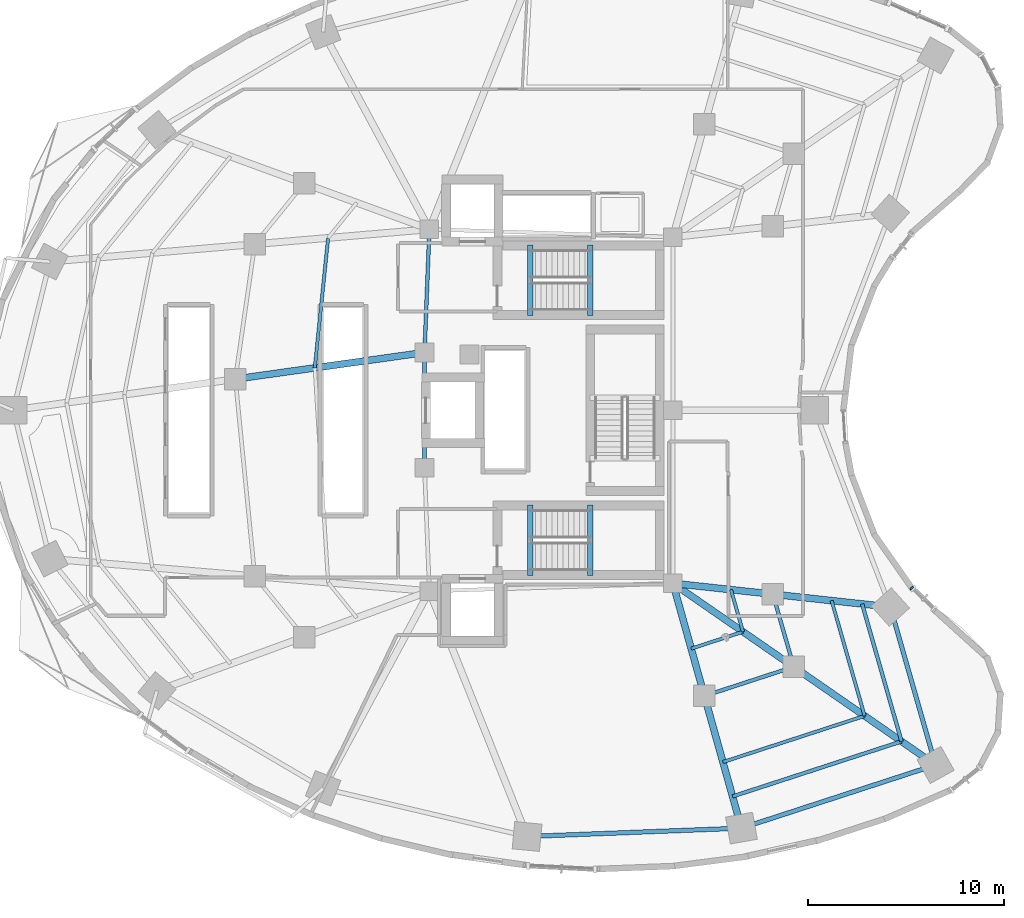
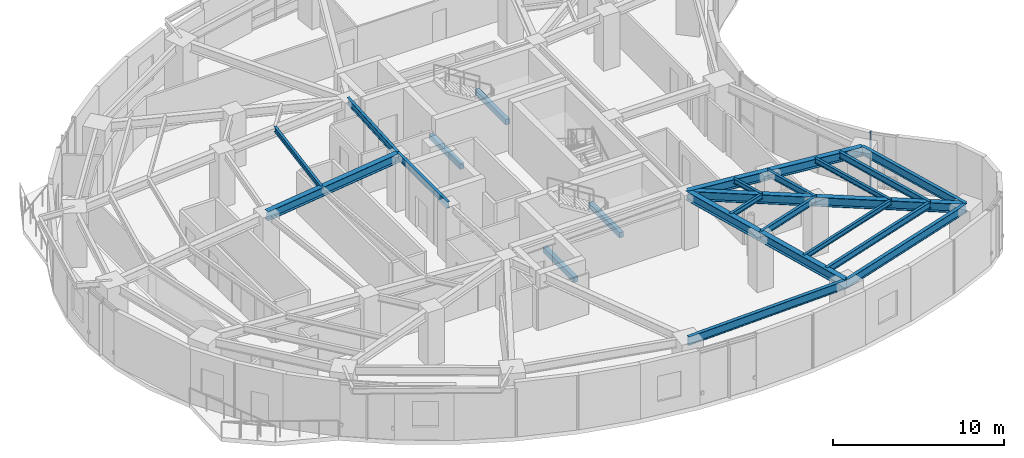
# One storey, part 3 of 14: 25 beams, 1 member, 1 element without a shape of its own.
"""IFC4 building model written with IfcOpenShell, lengths in metres."""

from ifc_helpers import new_model, si_unit, direction, frame, origin, origin_2d, place, context, subcontext, project, spatial, rectangle, i_section, extrude, material, layer, layer_set, material_profile, profile_set, type_object, element, aggregate, save


model = new_model("IFC4")

# Units and contexts
model_context = context("Model", 3, precision=1e-05, world=origin(), true_north=direction((0.0, 1.0)))
body_context = subcontext(model_context, "Body", "Model", "MODEL_VIEW")
ifc_project = project(units=[si_unit("LENGTHUNIT", "METRE"), si_unit("AREAUNIT", "SQUARE_METRE"), si_unit("VOLUMEUNIT", "CUBIC_METRE"), si_unit("PLANEANGLEUNIT", "RADIAN"), si_unit("MASSUNIT", "GRAM", prefix="KILO")], contexts=[model_context])

# Site, building, storey
site_placement = place(None, origin())
site = spatial("IfcSite", under=ifc_project, at=site_placement, CompositionType="ELEMENT")
building_placement = place(site_placement, origin())
building = spatial("IfcBuilding", under=site, at=building_placement, Name="Korentha Bioscience Tower", CompositionType="ELEMENT")
storey_placement = place(building_placement, frame((0.0, 0.0, 63.60009765625)))
storey = spatial("IfcBuildingStorey", under=building, at=storey_placement, Name="L14", CompositionType="ELEMENT", Elevation=63.60009765625)

# Beams
ifc_material_1 = material(Name="Concrete C50", Category="concrete")
ifc_material_profile_1 = material_profile(ifc_material_1, rectangle(XDim=0.280029296875, YDim=0.3798828125, at=origin_2d()), Name="Concrete C50")
ifc_profile_set_1 = profile_set([ifc_material_profile_1], Name="Concrete C50 (ST-HB380)")
beam_type_1 = type_object("IfcBeamType", Name="Concrete Stair Header Beam RC 280x380", PredefinedType="BEAM", material=ifc_profile_set_1)
for number, where, z_axis, x_axis, name in (
    (1, (30.25, 31.85009765625, -0.190185546875), (0.0, 1.0, 0.0), (-1.0, 0.0, 0.0), "L14 ST-1 Concrete Stair Header Beam"),
    (2, (33.330078125, 31.85009765625, 1.909912109375), (0.0, 1.0, 0.0), (-1.0, 0.0, 0.0), "L14 ST-1 Half-Landing Header Beam 1"),
    (3, (30.25, 18.550048828125, -0.190185546875), (0.0, 1.0, 0.0), (-1.0, 0.0, 0.0), "L14 ST-2 Concrete Stair Header Beam"),
    (4, (33.330078125, 18.550048828125, 1.909912109375), (0.0, 1.0, 0.0), (-1.0, 0.0, 0.0), "L14 ST-2 Half-Landing Header Beam 1"),
):
    element("IfcBeam", number, at=place(storey_placement, frame(where, z_axis=z_axis, x_axis=x_axis)), inside=storey, type_object=beam_type_1, Name=name, PredefinedType="BEAM", context=body_context, shape_type="SweptSolid", body=[
        extrude(rectangle(XDim=0.280029296875, YDim=0.3798828125, at=origin_2d()), origin(), (0.0, 0.0, 1.0), 3.599853515625),
    ])
ifc_material_2 = material(Name="Steel S355", Category="steel")
ifc_material_profile_2 = material_profile(ifc_material_2, i_section(OverallWidth=0.18994140625, OverallDepth=0.45703125, WebThickness=0.009033203125, FlangeThickness=0.014404296875, at=origin_2d()), Name="Steel S355")
ifc_profile_set_2 = profile_set([ifc_material_profile_2], Name="Steel S355 (MB-460)")
beam_type_2 = type_object("IfcBeamType", Name="Mid-Ring Tie Girder W460x74", PredefinedType="BEAM", material=ifc_profile_set_2)
beam_1_placement = place(storey_placement, frame((39.1611328125, 12.392333984375, 3.67138671875), z_axis=(0.950877001105, 0.309568940253, 0.0), x_axis=(-0.309568940253, 0.950877001105, 0.0)))
element("IfcBeam", 5, at=beam_1_placement, inside=storey, type_object=beam_type_2, Name="L14 Mid-Ring Tie Girder 12", PredefinedType="BEAM", context=body_context, shape_type="SweptSolid", body=[
    extrude(i_section(OverallWidth=0.18994140625, OverallDepth=0.45703125, WebThickness=0.009033203125, FlangeThickness=0.014404296875, at=origin_2d()), origin(), (0.0, 0.0, 1.0), 4.80126953125),
])
beam_2_placement = place(storey_placement, frame((43.7265625, 13.878662109375, 3.67138671875), z_axis=(-0.27560557792, 0.961270807535, 0.0), x_axis=(-0.961270807535, -0.27560557792, 0.0)))
element("IfcBeam", 6, at=beam_2_placement, inside=storey, type_object=beam_type_2, Name="L14 Mid-Ring Tie Girder 13", PredefinedType="BEAM", context=body_context, shape_type="SweptSolid", body=[
    extrude(i_section(OverallWidth=0.18994140625, OverallDepth=0.45703125, WebThickness=0.009033203125, FlangeThickness=0.014404296875, at=origin_2d()), origin(), (0.0, 0.0, 1.0), 3.864013671875),
])
beam_3_placement = place(storey_placement, frame((25.10009765625, 36.25, 3.67138671875), z_axis=(-0.039651025576, -0.999213588864, 0.0), x_axis=(0.999213588864, -0.039651025576, 0.0)))
element("IfcBeam", 7, at=beam_3_placement, inside=storey, type_object=beam_type_2, Name="L14 Core Ring Tie Girder 02", PredefinedType="BEAM", context=body_context, shape_type="SweptSolid", body=[
    extrude(i_section(OverallWidth=0.18994140625, OverallDepth=0.45703125, WebThickness=0.009033203125, FlangeThickness=0.014404296875, at=origin_2d()), origin(), (0.0, 0.0, 1.0), 6.304931640625),
])
beam_4_placement = place(storey_placement, frame((24.85009765625, 29.949951171875, 3.67138671875), z_axis=(0.0, -1.0, 0.0), x_axis=(1.0, 0.0, 0.0)))
element("IfcBeam", 8, at=beam_4_placement, inside=storey, type_object=beam_type_2, Name="L14 Core Ring Tie Girder 03", PredefinedType="BEAM", context=body_context, shape_type="SweptSolid", body=[
    extrude(i_section(OverallWidth=0.18994140625, OverallDepth=0.45703125, WebThickness=0.009033203125, FlangeThickness=0.014404296875, at=origin_2d()), origin(), (0.0, 0.0, 1.0), 5.89990234375),
])

# Curtain wall, member
ifc_material_3 = material(Name="Thermally Broken Aluminium Frame", Category="aluminium")
ifc_layer = layer(ifc_material_3, 0.219970703125, Name="Thermally Broken Aluminium Frame")
ifc_layer_set = layer_set([ifc_layer], Name="Thermally Broken Aluminium Frame (CW-T2)")
curtain_wall_type = type_object("IfcCurtainWallType", Name="Solar-Screened Lab Unitised Curtain Wall CW-T2", PredefinedType="USERDEFINED", material=ifc_layer_set)
curtain_wall_placement = place(storey_placement, origin())
curtain_wall = element("IfcCurtainWall", 9, at=curtain_wall_placement, inside=storey, type_object=curtain_wall_type, Name="L14 Curtain Wall 43", ObjectType="UNITISED", PredefinedType="USERDEFINED")
ifc_material_4 = material(Name="Anodised Aluminium 6063-T6", Category="aluminium")
ifc_material_profile_3 = material_profile(ifc_material_4, rectangle(XDim=0.090087890625, YDim=0.199951171875, at=origin_2d()), Name="Anodised Aluminium 6063-T6")
ifc_profile_set_3 = profile_set([ifc_material_profile_3], Name="Anodised Aluminium 6063-T6 (CW-MUL)")
member_type = type_object("IfcMemberType", Name="Mullion RECT 90x200", PredefinedType="MULLION", material=ifc_profile_set_3)
member_placement = place(storey_placement, frame((49.752685546875, 17.90625, 0.0), z_axis=(0.0, 0.0, 1.0), x_axis=(-0.713279246754, 0.700879958445, 0.0)))
member = element("IfcMember", 10, at=member_placement, type_object=member_type, Name="CW-L14-43 Mullion 2", PredefinedType="MULLION", context=body_context, shape_type="SweptSolid", body=[
    extrude(rectangle(XDim=0.090087890625, YDim=0.199951171875, at=origin_2d()), origin(), (0.0, 0.0, 1.0), 3.89990234375),
])
aggregate(curtain_wall, [member])

# Beams
ifc_material_profile_4 = material_profile(ifc_material_2, i_section(OverallWidth=0.22802734375, OverallDepth=0.60791015625, WebThickness=0.01123046875, FlangeThickness=0.017333984375, at=origin_2d()), Name="Steel S355")
ifc_profile_set_4 = profile_set([ifc_material_profile_4], Name="Steel S355 (SB-610)")
beam_type_3 = type_object("IfcBeamType", Name="Perimeter Ring Spandrel Girder W610x113", PredefinedType="SPANDREL", material=ifc_profile_set_4)
beam_5_placement = place(storey_placement, frame((30.09423828125, 5.20751953125, 3.595947265625), z_axis=(0.999246003889, 0.03882555488, 0.0), x_axis=(-0.03882555488, 0.999246003889, 0.0)))
element("IfcBeam", 11, at=beam_5_placement, inside=storey, type_object=beam_type_3, Name="L14 Perimeter Spandrel Girder 11", PredefinedType="SPANDREL", context=body_context, shape_type="SweptSolid", body=[
    extrude(i_section(OverallWidth=0.22802734375, OverallDepth=0.60791015625, WebThickness=0.01123046875, FlangeThickness=0.017333984375, at=origin_2d()), origin(), (0.0, 0.0, 1.0), 10.966552734375),
])
beam_6_placement = place(storey_placement, frame((41.052490234375, 5.63330078125, 3.595947265625), z_axis=(0.95087511444, 0.309574735305, 0.0), x_axis=(-0.309574735305, 0.95087511444, 0.0)))
element("IfcBeam", 12, at=beam_6_placement, inside=storey, type_object=beam_type_3, Name="L14 Perimeter Spandrel Girder 12", PredefinedType="SPANDREL", context=body_context, shape_type="SweptSolid", body=[
    extrude(i_section(OverallWidth=0.22802734375, OverallDepth=0.60791015625, WebThickness=0.01123046875, FlangeThickness=0.017333984375, at=origin_2d()), origin(), (0.0, 0.0, 1.0), 10.4375),
])
beam_7_placement = place(storey_placement, frame((50.977294921875, 8.864501953125, 3.595947265625), z_axis=(-0.275642273411, 0.961260285827, 0.0), x_axis=(-0.961260285827, -0.275642273411, 0.0)))
element("IfcBeam", 13, at=beam_7_placement, inside=storey, type_object=beam_type_3, Name="L14 Perimeter Spandrel Girder 13", PredefinedType="SPANDREL", context=body_context, shape_type="SweptSolid", body=[
    extrude(i_section(OverallWidth=0.22802734375, OverallDepth=0.60791015625, WebThickness=0.01123046875, FlangeThickness=0.017333984375, at=origin_2d()), origin(), (0.0, 0.0, 1.0), 8.400146484375),
])
ifc_material_profile_5 = material_profile(ifc_material_2, i_section(OverallWidth=0.18994140625, OverallDepth=0.45703125, WebThickness=0.009033203125, FlangeThickness=0.014404296875, at=origin_2d()), Name="Steel S355")
ifc_profile_set_5 = profile_set([ifc_material_profile_5], Name="Steel S355 (RB-460)")
beam_type_4 = type_object("IfcBeamType", Name="Radial Laboratory Beam W460x74", PredefinedType="BEAM", material=ifc_profile_set_5)
beam_8_placement = place(storey_placement, frame((40.5986328125, 7.255615234375, 3.67138671875), z_axis=(0.95087437499, 0.309577006554, 0.0), x_axis=(-0.309577006554, 0.95087437499, 0.0)))
element("IfcBeam", 14, at=beam_8_placement, inside=storey, type_object=beam_type_4, Name="L14 Secondary Floor Beam JSTO-12", PredefinedType="BEAM", context=body_context, shape_type="SweptSolid", body=[
    extrude(i_section(OverallWidth=0.18994140625, OverallDepth=0.45703125, WebThickness=0.009033203125, FlangeThickness=0.014404296875, at=origin_2d()), origin(), (0.0, 0.0, 1.0), 9.0849609375),
])
beam_9_placement = place(storey_placement, frame((49.2373046875, 10.068115234375, 3.67138671875), z_axis=(-0.275682421415, 0.961248772443, 0.0), x_axis=(-0.961248772443, -0.275682421415, 0.0)))
element("IfcBeam", 15, at=beam_9_placement, inside=storey, type_object=beam_type_4, Name="L14 Secondary Floor Beam JSTO-13", PredefinedType="BEAM", context=body_context, shape_type="SweptSolid", body=[
    extrude(i_section(OverallWidth=0.18994140625, OverallDepth=0.45703125, WebThickness=0.009033203125, FlangeThickness=0.014404296875, at=origin_2d()), origin(), (0.0, 0.0, 1.0), 7.3115234375),
])
ifc_material_profile_6 = material_profile(ifc_material_2, i_section(OverallWidth=0.35009765625, OverallDepth=0.64990234375, WebThickness=0.01611328125, FlangeThickness=0.02490234375, at=origin_2d()), Name="Steel S355")
ifc_profile_set_6 = profile_set([ifc_material_profile_6], Name="Steel S355 (RB-650)")
beam_type_5 = type_object("IfcBeamType", Name="Radial Laboratory Girder CVS 650x208", PredefinedType="BEAM", material=ifc_profile_set_6)
beam_10_placement = place(storey_placement, frame((24.85009765625, 29.949951171875, 3.574951171875), z_axis=(-0.990307253072, -0.138894004596, 0.0), x_axis=(0.138894004596, -0.990307253072, 0.0)))
element("IfcBeam", 16, at=beam_10_placement, inside=storey, type_object=beam_type_5, Name="L14 Inner Radial Girder 07", PredefinedType="BEAM", context=body_context, shape_type="SweptSolid", body=[
    extrude(i_section(OverallWidth=0.35009765625, OverallDepth=0.64990234375, WebThickness=0.01611328125, FlangeThickness=0.02490234375, at=origin_2d()), origin(), (0.0, 0.0, 1.0), 9.76611328125),
])
beam_11_placement = place(storey_placement, frame((37.550048828125, 18.14990234375, 3.574951171875), z_axis=(0.269469369205, -0.963008961049, 0.0), x_axis=(0.963008961049, 0.269469369205, 0.0)))
element("IfcBeam", 17, at=beam_11_placement, inside=storey, type_object=beam_type_5, Name="L14 Inner Radial Girder 12", PredefinedType="BEAM", context=body_context, shape_type="SweptSolid", body=[
    extrude(i_section(OverallWidth=0.35009765625, OverallDepth=0.64990234375, WebThickness=0.01611328125, FlangeThickness=0.02490234375, at=origin_2d()), origin(), (0.0, 0.0, 1.0), 5.978759765625),
])
beam_12_placement = place(storey_placement, frame((39.1611328125, 12.392333984375, 3.574951171875), z_axis=(0.269475095129, -0.963007358801, 0.0), x_axis=(0.963007358801, 0.269475095129, 0.0)))
element("IfcBeam", 18, at=beam_12_placement, inside=storey, type_object=beam_type_5, Name="L14 Outer Radial Girder 12", PredefinedType="BEAM", context=body_context, shape_type="SweptSolid", body=[
    extrude(i_section(OverallWidth=0.35009765625, OverallDepth=0.64990234375, WebThickness=0.01611328125, FlangeThickness=0.02490234375, at=origin_2d()), origin(), (0.0, 0.0, 1.0), 7.0185546875),
])
beam_13_placement = place(storey_placement, frame((37.550048828125, 18.14990234375, 3.574951171875), z_axis=(0.822491697625, -0.568777115694, 0.0), x_axis=(0.568777115694, 0.822491697625, 0.0)))
element("IfcBeam", 19, at=beam_13_placement, inside=storey, type_object=beam_type_5, Name="L14 Inner Radial Girder 13", PredefinedType="BEAM", context=body_context, shape_type="SweptSolid", body=[
    extrude(i_section(OverallWidth=0.35009765625, OverallDepth=0.64990234375, WebThickness=0.01611328125, FlangeThickness=0.02490234375, at=origin_2d()), origin(), (0.0, 0.0, 1.0), 7.509521484375),
])
beam_14_placement = place(storey_placement, frame((43.7265625, 13.878662109375, 3.574951171875), z_axis=(0.822488186113, -0.568782193555, 0.0), x_axis=(0.568782193555, 0.822488186113, 0.0)))
element("IfcBeam", 20, at=beam_14_placement, inside=storey, type_object=beam_type_5, Name="L14 Outer Radial Girder 13", PredefinedType="BEAM", context=body_context, shape_type="SweptSolid", body=[
    extrude(i_section(OverallWidth=0.35009765625, OverallDepth=0.64990234375, WebThickness=0.01611328125, FlangeThickness=0.02490234375, at=origin_2d()), origin(), (0.0, 0.0, 1.0), 8.815673828125),
])
beam_15_placement = place(storey_placement, frame((37.550048828125, 18.14990234375, 3.574951171875), z_axis=(0.994117709144, -0.10830503389, 0.0), x_axis=(0.10830503389, 0.994117709144, 0.0)))
element("IfcBeam", 21, at=beam_15_placement, inside=storey, type_object=beam_type_5, Name="L14 Inner Radial Girder 14", PredefinedType="BEAM", context=body_context, shape_type="SweptSolid", body=[
    extrude(i_section(OverallWidth=0.35009765625, OverallDepth=0.64990234375, WebThickness=0.01611328125, FlangeThickness=0.02490234375, at=origin_2d()), origin(), (0.0, 0.0, 1.0), 5.141845703125),
])
beam_16_placement = place(storey_placement, frame((42.66162109375, 17.593017578125, 3.574951171875), z_axis=(0.994115805925, -0.108322501862, 0.0), x_axis=(0.108322501862, 0.994115805925, 0.0)))
element("IfcBeam", 22, at=beam_16_placement, inside=storey, type_object=beam_type_5, Name="L14 Outer Radial Girder 14", PredefinedType="BEAM", context=body_context, shape_type="SweptSolid", body=[
    extrude(i_section(OverallWidth=0.35009765625, OverallDepth=0.64990234375, WebThickness=0.01611328125, FlangeThickness=0.02490234375, at=origin_2d()), origin(), (0.0, 0.0, 1.0), 6.03564453125),
])
ifc_material_profile_7 = material_profile(ifc_material_2, i_section(OverallWidth=0.1708984375, OverallDepth=0.35498046875, WebThickness=0.007080078125, FlangeThickness=0.01171875, at=origin_2d()), Name="Steel S355")
ifc_profile_set_7 = profile_set([ifc_material_profile_7], Name="Steel S355 (JB-360)")
beam_type_6 = type_object("IfcBeamType", Name="Secondary Laboratory Joist W360x51", PredefinedType="JOIST", material=ifc_profile_set_7)
beam_17_placement = place(storey_placement, frame((19.9228515625, 35.80859375, 3.722412109375), z_axis=(-0.102144778597, -0.994769543264, 0.0), x_axis=(0.994769543264, -0.102144778597, 0.0)))
element("IfcBeam", 23, at=beam_17_placement, inside=storey, type_object=beam_type_6, Name="L14 Inner Bay Joist 06", PredefinedType="JOIST", context=body_context, shape_type="SweptSolid", body=[
    extrude(i_section(OverallWidth=0.1708984375, OverallDepth=0.35498046875, WebThickness=0.007080078125, FlangeThickness=0.01171875, at=origin_2d()), origin(), (0.0, 0.0, 1.0), 6.680419921875),
])
beam_18_placement = place(storey_placement, frame((40.10693359375, 9.0126953125, 3.722412109375), z_axis=(0.950870992772, 0.309587394938, 0.0), x_axis=(-0.309587394938, 0.950870992772, 0.0)))
element("IfcBeam", 24, at=beam_18_placement, inside=storey, type_object=beam_type_6, Name="L14 Secondary Floor Beam JST-12", PredefinedType="JOIST", context=body_context, shape_type="SweptSolid", body=[
    extrude(i_section(OverallWidth=0.1708984375, OverallDepth=0.35498046875, WebThickness=0.007080078125, FlangeThickness=0.01171875, at=origin_2d()), origin(), (0.0, 0.0, 1.0), 7.619384765625),
])
beam_19_placement = place(storey_placement, frame((38.484619140625, 14.810546875, 3.722412109375), z_axis=(0.950869630746, 0.309591578254, 0.0), x_axis=(-0.309591578254, 0.950869630746, 0.0)))
element("IfcBeam", 25, at=beam_19_placement, inside=storey, type_object=beam_type_6, Name="L14 Inner Bay Joist 12", PredefinedType="JOIST", context=body_context, shape_type="SweptSolid", body=[
    extrude(i_section(OverallWidth=0.1708984375, OverallDepth=0.35498046875, WebThickness=0.007080078125, FlangeThickness=0.01171875, at=origin_2d()), origin(), (0.0, 0.0, 1.0), 2.784423828125),
])
beam_20_placement = place(storey_placement, frame((47.35205078125, 11.37158203125, 3.722412109375), z_axis=(-0.275667500387, 0.96125305161, 0.0), x_axis=(-0.96125305161, -0.275667500387, 0.0)))
element("IfcBeam", 26, at=beam_20_placement, inside=storey, type_object=beam_type_6, Name="L14 Secondary Floor Beam JST-13", PredefinedType="JOIST", context=body_context, shape_type="SweptSolid", body=[
    extrude(i_section(OverallWidth=0.1708984375, OverallDepth=0.35498046875, WebThickness=0.007080078125, FlangeThickness=0.01171875, at=origin_2d()), origin(), (0.0, 0.0, 1.0), 6.132080078125),
])
beam_21_placement = place(storey_placement, frame((41.13232421875, 15.672607421875, 3.722412109375), z_axis=(-0.275613067773, 0.961268660091, 0.0), x_axis=(-0.961268660091, -0.275613067773, 0.0)))
element("IfcBeam", 27, at=beam_21_placement, inside=storey, type_object=beam_type_6, Name="L14 Inner Bay Joist 13", PredefinedType="JOIST", context=body_context, shape_type="SweptSolid", body=[
    extrude(i_section(OverallWidth=0.1708984375, OverallDepth=0.35498046875, WebThickness=0.007080078125, FlangeThickness=0.01171875, at=origin_2d()), origin(), (0.0, 0.0, 1.0), 2.2412109375),
])

save(model, "model.ifc")
